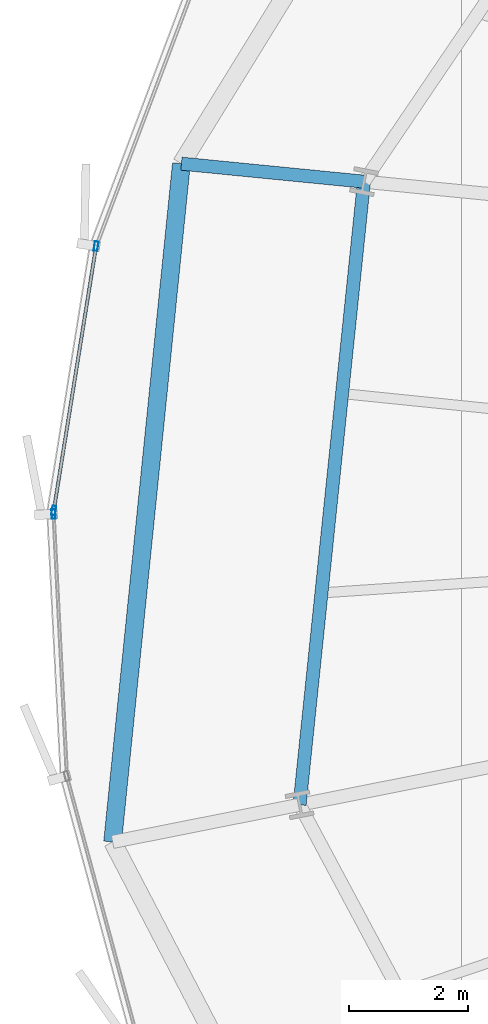
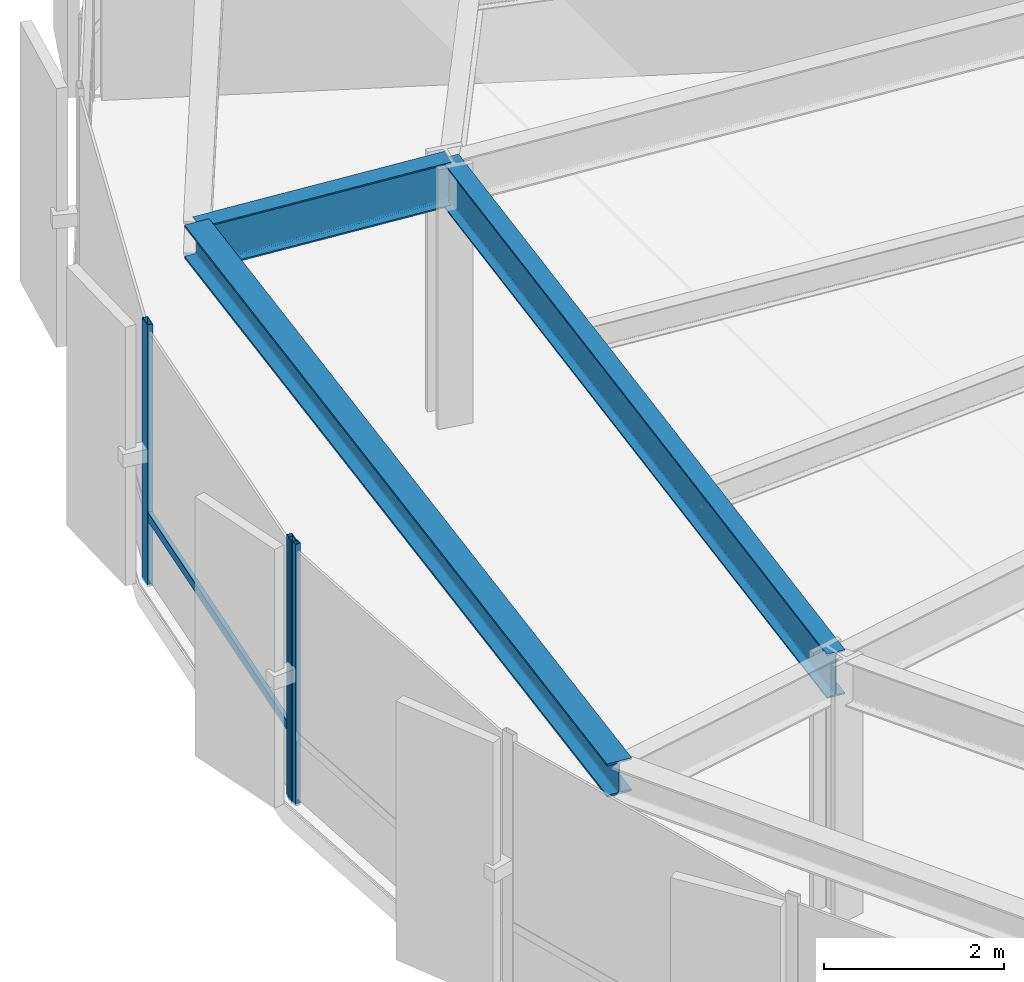
# One storey, part 8 of 38: 4 members, 3 beams, 2 elements without a shape of their own.
"""IFC4 building model written with IfcOpenShell, lengths in metres."""

from ifc_helpers import new_model, si_unit, direction, frame, origin, origin_2d, place, context, subcontext, project, spatial, hollow_rectangle, i_section, extrude, source, transform, mapped, material, layer, layer_set, material_profile, profile_set, type_object, element, aggregate, save


model = new_model("IFC4")

# Units and contexts
model_context = context("Model", 3, precision=1e-05, world=origin(), true_north=direction((0.0, 1.0)))
body_context = subcontext(model_context, "Body", "Model", "MODEL_VIEW")
ifc_project = project(units=[si_unit("LENGTHUNIT", "METRE"), si_unit("AREAUNIT", "SQUARE_METRE"), si_unit("VOLUMEUNIT", "CUBIC_METRE"), si_unit("PLANEANGLEUNIT", "RADIAN"), si_unit("MASSUNIT", "GRAM", prefix="KILO"), si_unit("THERMODYNAMICTEMPERATUREUNIT", "KELVIN")], contexts=[model_context])

# Site, building, storey
site_placement = place(None, origin())
site = spatial("IfcSite", under=ifc_project, at=site_placement, CompositionType="ELEMENT")
building_placement = place(site_placement, origin())
building = spatial("IfcBuilding", under=site, at=building_placement, Name="Kethvar Cultural Tower", CompositionType="ELEMENT")
storey_placement = place(building_placement, frame((0.0, 0.0, 67.60009765625)))
storey = spatial("IfcBuildingStorey", under=building, at=storey_placement, Name="L16", CompositionType="ELEMENT", Elevation=67.60009765625)

# Beams
ifc_material_1 = material(Name="Steel S355J2", Category="steel")
ifc_material_profile_1 = material_profile(ifc_material_1, i_section(OverallWidth=0.219970703125, OverallDepth=0.60009765625, WebThickness=0.011962890625, FlangeThickness=0.01904296875, FilletRadius=0.02392578125, at=origin_2d()), Name="Steel S355J2 — IPE600")
ifc_profile_set_1 = profile_set([ifc_material_profile_1], Name="Steel S355J2 — IPE600")
beam_type_1 = type_object("IfcBeamType", Name="BM-IPE600", PredefinedType="BEAM", material=ifc_profile_set_1)
shared_shape_1 = source(origin(), body_context, "Body", "SweptSolid", [
    extrude(i_section(OverallWidth=0.219970703125, OverallDepth=0.60009765625, WebThickness=0.011962890625, FlangeThickness=0.01904296875, FilletRadius=0.02392578125, at=origin_2d()), origin(), (0.0, 0.0, 1.0), 10.515869140625),
])
beam_1_placement = place(storey_placement, frame((21.047119140625, 32.922607421875, 3.247802734375), z_axis=(-0.102824694973, -0.994699493367, 0.0), x_axis=(0.994699493367, -0.102824694973, 0.0)))
element("IfcBeam", 1, at=beam_1_placement, inside=storey, type_object=beam_type_1, Name="L16 Column Ring Tie Beam CR-08", PredefinedType="BEAM", context=body_context, shape_type="MappedRepresentation", body=[
    mapped(shared_shape_1, transform((0.0, 0.0, 0.0), scale=1.0)),
])
shared_shape_2 = source(origin(), body_context, "Body", "SweptSolid", [
    extrude(i_section(OverallWidth=0.219970703125, OverallDepth=0.60009765625, WebThickness=0.011962890625, FlangeThickness=0.01904296875, FilletRadius=0.02392578125, at=origin_2d()), origin(), (0.0, 0.0, 1.0), 3.07958984375),
])
beam_2_placement = place(storey_placement, frame((21.047119140625, 32.922607421875, 3.247802734375), z_axis=(-0.995172056004, 0.098145702647, 0.0), x_axis=(-0.098145702647, -0.995172056004, 0.0)))
element("IfcBeam", 2, at=beam_2_placement, inside=storey, type_object=beam_type_1, Name="L16 Perimeter Cantilever Beam RC-08", PredefinedType="BEAM", context=body_context, shape_type="MappedRepresentation", body=[
    mapped(shared_shape_2, transform((0.0, 0.0, 0.0), scale=1.0)),
])
ifc_material_profile_2 = material_profile(ifc_material_1, i_section(OverallWidth=0.300048828125, OverallDepth=0.449951171875, WebThickness=0.013916015625, FlangeThickness=0.02587890625, FilletRadius=0.027099609375, at=origin_2d()), Name="Steel S355J2 — HEB450")
ifc_profile_set_2 = profile_set([ifc_material_profile_2], Name="Steel S355J2 — HEB450")
beam_type_2 = type_object("IfcBeamType", Name="BM-SP450", PredefinedType="SPANDREL", material=ifc_profile_set_2)
shared_shape_3 = source(origin(), body_context, "Body", "SweptSolid", [
    extrude(i_section(OverallWidth=0.300048828125, OverallDepth=0.449951171875, WebThickness=0.013916015625, FlangeThickness=0.02587890625, FilletRadius=0.027099609375, at=origin_2d()), origin(), (0.0, 0.0, 1.0), 11.445068359375),
])
beam_3_placement = place(storey_placement, frame((17.982421875, 33.224853515625, 3.322998046875), z_axis=(-0.100918669086, -0.994894678964, 0.0), x_axis=(0.994894678964, -0.100918669086, 0.0)))
element("IfcBeam", 3, at=beam_3_placement, inside=storey, type_object=beam_type_2, Name="L16 Perimeter Spandrel Beam SP-08", PredefinedType="SPANDREL", context=body_context, shape_type="MappedRepresentation", body=[
    mapped(shared_shape_3, transform((0.0, 0.0, 0.0), scale=1.0)),
])

# Curtain wall, members
ifc_material_2 = material(Name="Aluminium 6063-T6", Category="aluminium")
ifc_layer = layer(ifc_material_2, 0.179931640625, Name="Aluminium 6063-T6", Category="aluminium")
ifc_layer_set = layer_set([ifc_layer], Name="Aluminium 6063-T6 (180 mm)")
curtain_wall_type = type_object("IfcCurtainWallType", Name="CW-SYS-02-Z1", PredefinedType="NOTDEFINED", material=ifc_layer_set)
curtain_wall_1_placement = place(storey_placement, origin())
curtain_wall_1 = element("IfcCurtainWall", 4, at=curtain_wall_1_placement, inside=storey, type_object=curtain_wall_type, Name="L16 Curtain Wall Run 03", PredefinedType="NOTDEFINED")
ifc_material_profile_3 = material_profile(ifc_material_2, hollow_rectangle(XDim=0.06494140625, YDim=0.159912109375, WallThickness=0.0048828125, at=origin_2d()), Name="Aluminium 6063-T6 — RHS160x65x5")
ifc_profile_set_3 = profile_set([ifc_material_profile_3], Name="Aluminium 6063-T6 — RHS160x65x5")
member_type_1 = type_object("IfcMemberType", Name="CW-SYS-02-Z1-MUL", PredefinedType="MULLION", material=ifc_profile_set_3)
shared_shape_4 = source(origin(), body_context, "Body", "SweptSolid", [
    extrude(hollow_rectangle(XDim=0.06494140625, YDim=0.159912109375, WallThickness=0.0048828125, at=origin_2d()), origin(), (0.0, 0.0, 1.0), 3.5498046875),
])
member_1_placement = place(storey_placement, frame((16.55078125, 31.84033203125, 0.0), z_axis=(0.0, 0.0, 1.0), x_axis=(0.987411046222, -0.158175300852, 0.0)))
member_1 = element("IfcMember", 5, at=member_1_placement, type_object=member_type_1, Name="CW-L16-R03 Mullion 6", PredefinedType="MULLION", context=body_context, shape_type="MappedRepresentation", body=[
    mapped(shared_shape_4, transform((0.0, 0.0, 0.0), scale=1.0)),
])
member_2_placement = place(storey_placement, frame((15.83984375, 27.402099609375, 0.0), z_axis=(0.0, 0.0, 1.0), x_axis=(0.987411046222, -0.158175300852, 0.0)))
member_2 = element("IfcMember", 6, at=member_2_placement, type_object=member_type_1, Name="CW-L16-R03 Mullion 7", PredefinedType="MULLION", context=body_context, shape_type="MappedRepresentation", body=[
    mapped(shared_shape_4, transform((0.0, 0.0, 0.0), scale=1.0)),
])

# Curtain wall, member
curtain_wall_2_placement = place(storey_placement, origin())
curtain_wall_2 = element("IfcCurtainWall", 7, at=curtain_wall_2_placement, inside=storey, type_object=curtain_wall_type, Name="L16 Curtain Wall Run 04", PredefinedType="NOTDEFINED")
member_3_placement = place(storey_placement, frame((15.836669921875, 27.343505859375, 0.0), z_axis=(0.0, 0.0, 1.0), x_axis=(0.998711397743, 0.050749817922, 0.0)))
member_3 = element("IfcMember", 8, at=member_3_placement, type_object=member_type_1, Name="CW-L16-R04 Mullion 1", PredefinedType="MULLION", context=body_context, shape_type="MappedRepresentation", body=[
    mapped(shared_shape_4, transform((0.0, 0.0, 0.0), scale=1.0)),
])
aggregate(curtain_wall_2, [member_3])

# Member
ifc_material_profile_4 = material_profile(ifc_material_2, hollow_rectangle(XDim=0.054931640625, YDim=0.1201171875, WallThickness=0.00390625, at=origin_2d()), Name="Aluminium 6063-T6 — RHS120x55x4")
ifc_profile_set_4 = profile_set([ifc_material_profile_4], Name="Aluminium 6063-T6 — RHS120x55x4")
member_type_2 = type_object("IfcMemberType", Name="CW-SYS-02-Z1-TRN", PredefinedType="USERDEFINED", material=ifc_profile_set_4)
shared_shape_5 = source(origin(), body_context, "Body", "SweptSolid", [
    extrude(hollow_rectangle(XDim=0.054931640625, YDim=0.1201171875, WallThickness=0.00390625, at=origin_2d()), origin(), (0.0, 0.0, 1.0), 4.443359375),
])
member_4_placement = place(storey_placement, frame((16.543212890625, 31.794189453125, 0.949951171875), z_axis=(-0.158131933774, -0.987417992302, 0.0), x_axis=(0.987417992302, -0.158131933774, 0.0)))
member_4 = element("IfcMember", 9, at=member_4_placement, type_object=member_type_2, Name="CW-L16-R03 Transom 6", ObjectType="TRANSOM", PredefinedType="USERDEFINED", context=body_context, shape_type="MappedRepresentation", body=[
    mapped(shared_shape_5, transform((0.0, 0.0, 0.0), scale=1.0)),
])

aggregate(curtain_wall_1, [member_1, member_2, member_4])

save(model, "model.ifc")
